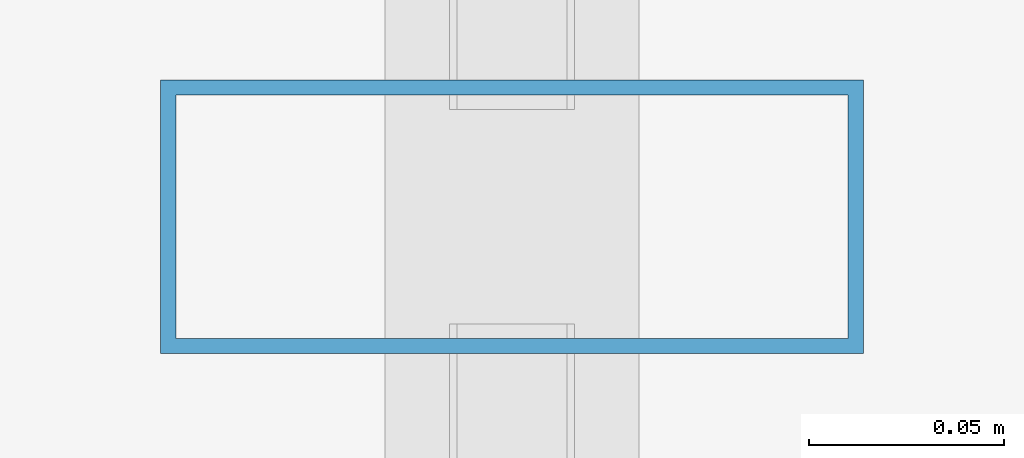
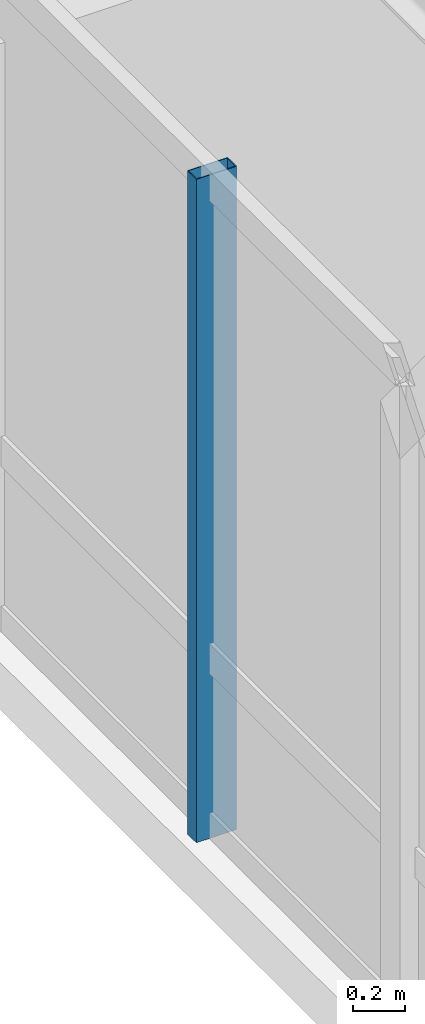
# One storey, part 13 of 31: 1 member, 1 element without a shape of its own.
"""IFC4 building model written with IfcOpenShell, lengths in metres."""

from ifc_helpers import new_model, si_unit, direction, frame, origin, origin_2d, place, context, subcontext, project, spatial, hollow_rectangle, extrude, material, layer, layer_set, material_profile, profile_set, type_object, element, aggregate, save


model = new_model("IFC4")

# Units and contexts
model_context = context("Model", 3, precision=1e-05, world=origin(), true_north=direction((0.0, 1.0)))
body_context = subcontext(model_context, "Body", "Model", "MODEL_VIEW")
ifc_project = project(units=[si_unit("LENGTHUNIT", "METRE"), si_unit("AREAUNIT", "SQUARE_METRE"), si_unit("VOLUMEUNIT", "CUBIC_METRE"), si_unit("PLANEANGLEUNIT", "RADIAN"), si_unit("MASSUNIT", "GRAM", prefix="KILO")], contexts=[model_context])

# Site, building, storey
site_placement = place(None, origin())
site = spatial("IfcSite", under=ifc_project, at=site_placement, CompositionType="ELEMENT")
building_placement = place(site_placement, origin())
building = spatial("IfcBuilding", under=site, at=building_placement, Name="Hatsunagi Terrace Concourse", CompositionType="ELEMENT")
storey_placement = place(building_placement, frame((0.0, 0.0, 81.300048828125)))
storey = spatial("IfcBuildingStorey", under=building, at=storey_placement, Name="L21", CompositionType="ELEMENT", Elevation=81.300048828125)

# Curtain wall, member
ifc_material_1 = material(Name="Anodised Aluminium Alloy 6063-T5", Category="aluminium")
ifc_layer = layer(ifc_material_1, 0.199951171875)
ifc_layer_set = layer_set([ifc_layer], Name="HotelFacade_CW02")
curtain_wall_type = type_object("IfcCurtainWallType", Name="HotelFacade_CW02", PredefinedType="NOTDEFINED", material=ifc_layer_set)
curtain_wall_placement = place(storey_placement, origin())
curtain_wall = element("IfcCurtainWall", 1, at=curtain_wall_placement, inside=storey, type_object=curtain_wall_type, Name="Unitised Curtain Wall CW-02 CW-L21-09", PredefinedType="NOTDEFINED")
ifc_material_2 = material(Name="Anodised Aluminium Alloy 6063-T5", Category="aluminium")
ifc_material_profile = material_profile(ifc_material_2, hollow_rectangle(XDim=0.070068359375, YDim=0.179931640625, WallThickness=0.00390625, at=origin_2d()), Name="ALU-MUL-180x70x4")
ifc_profile_set = profile_set([ifc_material_profile], Name="Anodised Aluminium Alloy 6063-T5")
member_type = type_object("IfcMemberType", Name="CurtainWallMullion_180x70", PredefinedType="MULLION", material=ifc_profile_set)
member_placement = place(storey_placement, frame((9.739990234375, 36.89990234375, 0.0), z_axis=(0.0, 0.0, 1.0), x_axis=(0.0, 1.0, 0.0)))
member = element("IfcMember", 2, at=member_placement, type_object=member_type, Name="Curtain Wall Mullion MUL-02", PredefinedType="MULLION", context=body_context, shape_type="SweptSolid", body=[
    extrude(hollow_rectangle(XDim=0.070068359375, YDim=0.179931640625, WallThickness=0.00390625, at=origin_2d()), origin(), (0.0, 0.0, 1.0), 3.1298828125),
])
aggregate(curtain_wall, [member])

save(model, "model.ifc")
